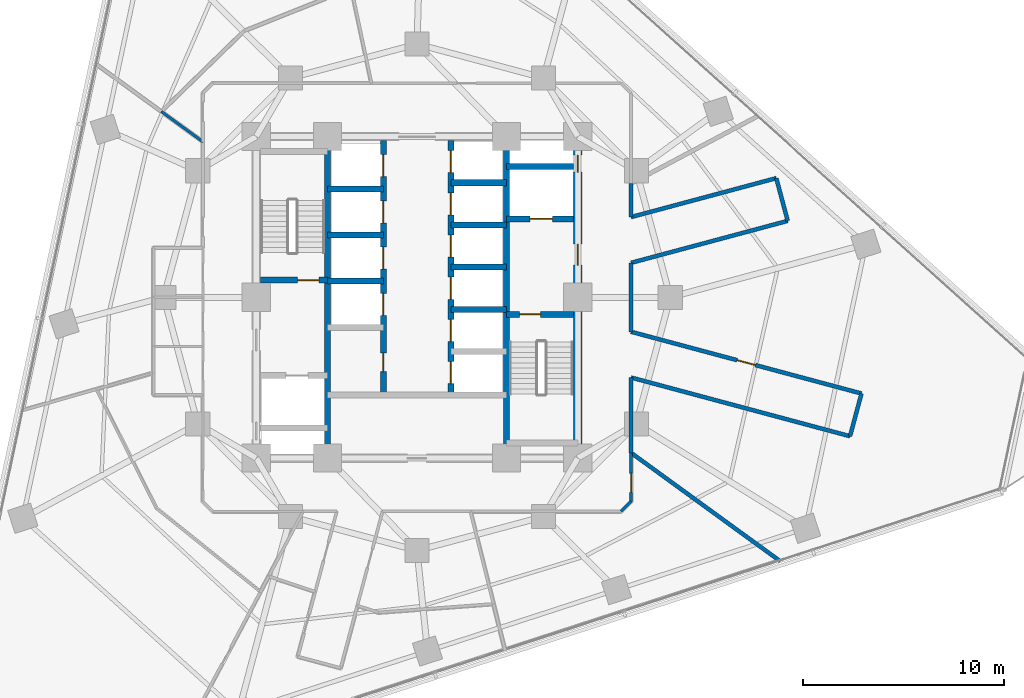
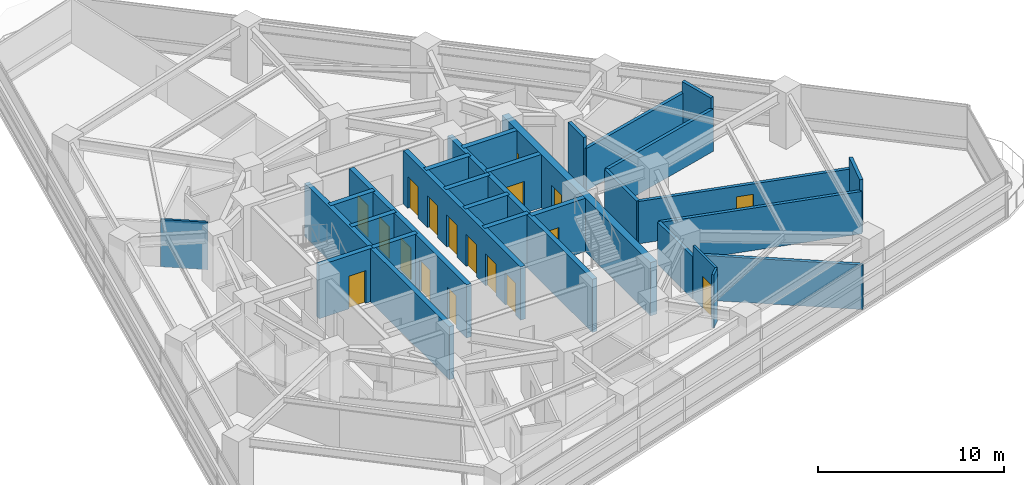
# One storey, part 8 of 13: 29 walls, 18 doors, 18 openings.
"""IFC4 building model written with IfcOpenShell, lengths in metres."""

from ifc_helpers import new_model, si_unit, direction, frame, frame_2d, origin, place, context, subcontext, project, spatial, rectangle, extrude, material, layer, layer_set, type_object, element, fill, save


model = new_model("IFC4")

# Units and contexts
model_context = context("Model", 3, precision=1e-05, world=origin(), true_north=direction((0.0, 1.0)))
body_context = subcontext(model_context, "Body", "Model", "MODEL_VIEW")
ifc_project = project(units=[si_unit("LENGTHUNIT", "METRE"), si_unit("AREAUNIT", "SQUARE_METRE"), si_unit("VOLUMEUNIT", "CUBIC_METRE"), si_unit("PLANEANGLEUNIT", "RADIAN"), si_unit("MASSUNIT", "GRAM", prefix="KILO")], contexts=[model_context])

# Site, building, storey
site_placement = place(None, origin())
site = spatial("IfcSite", under=ifc_project, at=site_placement, CompositionType="ELEMENT")
building_placement = place(site_placement, origin())
building = spatial("IfcBuilding", under=site, at=building_placement, Name="Terralouvre Media Tower", CompositionType="ELEMENT")
storey_placement = place(building_placement, frame((0.0, 0.0, 94.0)))
storey = spatial("IfcBuildingStorey", under=building, at=storey_placement, Name="L23", CompositionType="ELEMENT", Elevation=94.0)

# Walls
ifc_material_1 = material(Name="Concrete C50/60", Category="concrete")
ifc_layer_1 = layer(ifc_material_1, 0.300048828125, Name="Core Internal Shaft Wall CW-300")
ifc_layer_set_1 = layer_set([ifc_layer_1], Name="Concrete C50/60")
wall_type_1 = type_object("IfcWallType", Name="Core Internal Shaft Wall CW-300", PredefinedType="SHEAR", material=ifc_layer_set_1)
for number, where, z_axis, x_axis, name in (
    (1, (-4.449951171875, -7.7900390625, 0.0), (0.0, 0.0, 1.0), (0.0, 1.0, 0.0), "L23 Core Shaft Wall SPW"),
    (2, (4.449951171875, -7.7900390625, 0.0), (0.0, 0.0, 1.0), (0.0, 1.0, 0.0), "L23 Core Shaft Wall SPE"),
):
    element("IfcWall", number, at=place(storey_placement, frame(where, z_axis=z_axis, x_axis=x_axis)), inside=storey, type_object=wall_type_1, Name=name, PredefinedType="SHEAR", context=body_context, shape_type="SweptSolid", body=[
        extrude(rectangle(XDim=15.580078125, YDim=0.300048828125, at=frame_2d((7.7900390625, 0.0))), origin(), (0.0, 0.0, 1.0), 3.5),
    ])

# Wall, opening, door
wall_1_placement = place(storey_placement, frame((-7.7900390625, 0.85009765625, 0.0), z_axis=(0.0, 0.0, 1.0), x_axis=(1.0, 0.0, 0.0)))
wall_1 = element("IfcWall", 3, at=wall_1_placement, inside=storey, type_object=wall_type_1, Name="L23 Core Shaft Wall ST1D", PredefinedType="SHEAR", context=body_context, shape_type="SweptSolid", body=[
    extrude(rectangle(XDim=3.340087890625, YDim=0.300048828125, at=frame_2d((1.669921875, 0.0))), origin(), (0.0, 0.0, 1.0), 3.5),
])
opening_1_placement = place(wall_1_placement, frame((1.85009765625, 0.0, 0.0)))
opening_1 = element("IfcOpeningElement", 4, at=opening_1_placement, cuts=wall_1, Name="Opening FD-01-105X215", PredefinedType="OPENING", context=body_context, shape_type="SweptSolid", body=[
    extrude(rectangle(XDim=1.050048828125, YDim=2.14990234375, at=frame_2d((0.52490234375, 1.074951171875))), frame((0.0, 0.159912109375, 0.0), z_axis=(0.0, -1.0, 0.0), x_axis=(1.0, 0.0, 0.0)), (0.0, 0.0, 1.0), 0.320068359375),
])
ifc_material_2 = material(Name="Galvanised steel fire-resisting leaf", Category="steel")
door_type_1 = type_object("IfcDoorType", Name="Stair and Firefighting Lobby Fire Door FD-01 (1050x2150)", OperationType="NOTDEFINED", PredefinedType="DOOR", material=ifc_material_2)
door_1_placement = place(opening_1_placement, origin())
door_1 = element("IfcDoor", 5, at=door_1_placement, inside=storey, type_object=door_type_1, Name="L23 ST-01 Exit Stair Door", OperationType="SINGLE_SWING_LEFT", OverallHeight=2.14990234375, OverallWidth=1.050048828125, PredefinedType="DOOR", context=body_context, shape_type="SweptSolid", body=[
    extrude(rectangle(XDim=1.050048828125, YDim=2.14990234375, at=frame_2d((0.52490234375, 1.074951171875))), frame((0.0, 0.02490234375, 0.0), z_axis=(0.0, -1.0, 0.0), x_axis=(1.0, 0.0, 0.0)), (0.0, 0.0, 1.0), 0.050048828125),
])
fill(opening_1, door_1)

wall_2_placement = place(storey_placement, frame((4.449951171875, -0.85009765625, 0.0), z_axis=(0.0, 0.0, 1.0), x_axis=(1.0, 0.0, 0.0)))
wall_2 = element("IfcWall", 6, at=wall_2_placement, inside=storey, type_object=wall_type_1, Name="L23 Core Shaft Wall ST2D", PredefinedType="SHEAR", context=body_context, shape_type="SweptSolid", body=[
    extrude(rectangle(XDim=3.340087890625, YDim=0.300048828125, at=frame_2d((1.669921875, 0.0))), origin(), (0.0, 0.0, 1.0), 3.5),
])
opening_2_placement = place(wall_2_placement, frame((0.64990234375, 0.0, 0.0)))
opening_2 = element("IfcOpeningElement", 7, at=opening_2_placement, cuts=wall_2, Name="Opening FD-01-105X215", PredefinedType="OPENING", context=body_context, shape_type="SweptSolid", body=[
    extrude(rectangle(XDim=1.050048828125, YDim=2.14990234375, at=frame_2d((0.52490234375, 1.074951171875))), frame((0.0, 0.159912109375, 0.0), z_axis=(0.0, -1.0, 0.0), x_axis=(1.0, 0.0, 0.0)), (0.0, 0.0, 1.0), 0.320068359375),
])
door_2_placement = place(opening_2_placement, origin())
door_2 = element("IfcDoor", 8, at=door_2_placement, inside=storey, type_object=door_type_1, Name="L23 ST-02 Exit Stair Door", OperationType="SINGLE_SWING_RIGHT", OverallHeight=2.14990234375, OverallWidth=1.050048828125, PredefinedType="DOOR", context=body_context, shape_type="SweptSolid", body=[
    extrude(rectangle(XDim=1.050048828125, YDim=2.14990234375, at=frame_2d((0.52490234375, 1.074951171875))), frame((0.0, 0.02490234375, 0.0), z_axis=(0.0, -1.0, 0.0), x_axis=(1.0, 0.0, 0.0)), (0.0, 0.0, 1.0), 0.050048828125),
])
fill(opening_2, door_2)

wall_3_placement = place(storey_placement, frame((4.449951171875, 3.89990234375, 0.0), z_axis=(0.0, 0.0, 1.0), x_axis=(1.0, 0.0, 0.0)))
wall_3 = element("IfcWall", 9, at=wall_3_placement, inside=storey, type_object=wall_type_1, Name="L23 Core Shaft Wall FF2S", PredefinedType="SHEAR", context=body_context, shape_type="SweptSolid", body=[
    extrude(rectangle(XDim=3.340087890625, YDim=0.300048828125, at=frame_2d((1.669921875, 0.0))), origin(), (0.0, 0.0, 1.0), 3.5),
])
opening_3_placement = place(wall_3_placement, frame((1.179931640625, 0.0, 0.0)))
opening_3 = element("IfcOpeningElement", 10, at=opening_3_placement, cuts=wall_3, Name="Opening LD-FF", PredefinedType="OPENING", context=body_context, shape_type="SweptSolid", body=[
    extrude(rectangle(XDim=1.10009765625, YDim=2.10009765625, at=frame_2d((0.550048828125, 1.050048828125))), frame((0.0, 0.159912109375, 0.0), z_axis=(0.0, -1.0, 0.0), x_axis=(1.0, 0.0, 0.0)), (0.0, 0.0, 1.0), 0.320068359375),
])
ifc_material_3 = material(Name="Stainless steel 316 handrail and balustrade", Category="steel")
door_type_2 = type_object("IfcDoorType", Name="Firefighting Lift Sliding Landing Door LD-FF", OperationType="SLIDING_TO_LEFT", PredefinedType="DOOR", material=ifc_material_3)
door_3_placement = place(opening_3_placement, origin())
door_3 = element("IfcDoor", 11, at=door_3_placement, inside=storey, type_object=door_type_2, Name="L23 Firefighting Lift FFL-02 Landing Door", OperationType="SLIDING_TO_LEFT", OverallHeight=2.10009765625, OverallWidth=1.10009765625, PredefinedType="DOOR", context=body_context, shape_type="SweptSolid", body=[
    extrude(rectangle(XDim=1.10009765625, YDim=2.10009765625, at=frame_2d((0.550048828125, 1.050048828125))), frame((0.0, 0.02490234375, 0.0), z_axis=(0.0, -1.0, 0.0), x_axis=(1.0, 0.0, 0.0)), (0.0, 0.0, 1.0), 0.050048828125),
])
fill(opening_3, door_3)

# Wall
wall_4_placement = place(storey_placement, frame((4.449951171875, 6.5, 0.0), z_axis=(0.0, 0.0, 1.0), x_axis=(1.0, 0.0, 0.0)))
element("IfcWall", 12, at=wall_4_placement, inside=storey, type_object=wall_type_1, Name="L23 Core Shaft Wall FF2N", PredefinedType="SHEAR", context=body_context, shape_type="SweptSolid", body=[
    extrude(rectangle(XDim=3.340087890625, YDim=0.300048828125, at=frame_2d((1.669921875, 0.0))), origin(), (0.0, 0.0, 1.0), 3.5),
])

# Wall, openings, doors
wall_5_placement = place(storey_placement, frame((-1.679931640625, -4.85009765625, 0.0), z_axis=(0.0, 0.0, 1.0), x_axis=(0.0, 1.0, 0.0)))
wall_5 = element("IfcWall", 13, at=wall_5_placement, inside=storey, type_object=wall_type_1, Name="L23 Core Shaft Wall LBW", PredefinedType="SHEAR", context=body_context, shape_type="SweptSolid", body=[
    extrude(rectangle(XDim=12.64013671875, YDim=0.300048828125, at=frame_2d((6.320068359375, 0.0))), origin(), (0.0, 0.0, 1.0), 3.5),
])
opening_4_placement = place(wall_5_placement, frame((3.949951171875, 0.0, 0.0)))
opening_4 = element("IfcOpeningElement", 14, at=opening_4_placement, cuts=wall_5, Name="Opening LD-PL", PredefinedType="OPENING", context=body_context, shape_type="SweptSolid", body=[
    extrude(rectangle(XDim=1.10009765625, YDim=2.10009765625, at=frame_2d((0.550048828125, 1.050048828125))), frame((0.0, 0.159912109375, 0.0), z_axis=(0.0, -1.0, 0.0), x_axis=(1.0, 0.0, 0.0)), (0.0, 0.0, 1.0), 0.320068359375),
])
opening_5_placement = place(wall_5_placement, frame((6.25, 0.0, 0.0)))
opening_5 = element("IfcOpeningElement", 15, at=opening_5_placement, cuts=wall_5, Name="Opening LD-PL", PredefinedType="OPENING", context=body_context, shape_type="SweptSolid", body=[
    extrude(rectangle(XDim=1.10009765625, YDim=2.10009765625, at=frame_2d((0.550048828125, 1.050048828125))), frame((0.0, 0.159912109375, 0.0), z_axis=(0.0, -1.0, 0.0), x_axis=(1.0, 0.0, 0.0)), (0.0, 0.0, 1.0), 0.320068359375),
])
opening_6_placement = place(wall_5_placement, frame((8.550048828125, 0.0, 0.0)))
opening_6 = element("IfcOpeningElement", 16, at=opening_6_placement, cuts=wall_5, Name="Opening LD-PL", PredefinedType="OPENING", context=body_context, shape_type="SweptSolid", body=[
    extrude(rectangle(XDim=1.10009765625, YDim=2.10009765625, at=frame_2d((0.550048828125, 1.050048828125))), frame((0.0, 0.159912109375, 0.0), z_axis=(0.0, -1.0, 0.0), x_axis=(1.0, 0.0, 0.0)), (0.0, 0.0, 1.0), 0.320068359375),
])
opening_7_placement = place(wall_5_placement, frame((10.85009765625, 0.0, 0.0)))
opening_7 = element("IfcOpeningElement", 17, at=opening_7_placement, cuts=wall_5, Name="Opening LD-PL", PredefinedType="OPENING", context=body_context, shape_type="SweptSolid", body=[
    extrude(rectangle(XDim=1.10009765625, YDim=2.10009765625, at=frame_2d((0.550048828125, 1.050048828125))), frame((0.0, 0.159912109375, 0.0), z_axis=(0.0, -1.0, 0.0), x_axis=(1.0, 0.0, 0.0)), (0.0, 0.0, 1.0), 0.320068359375),
])
opening_8_placement = place(wall_5_placement, frame((1.14990234375, 0.0, 0.0)))
opening_8 = element("IfcOpeningElement", 18, at=opening_8_placement, cuts=wall_5, Name="Opening FD-05-92X210", PredefinedType="OPENING", context=body_context, shape_type="SweptSolid", body=[
    extrude(rectangle(XDim=0.919921875, YDim=2.10009765625, at=frame_2d((0.4599609375, 1.050048828125))), frame((0.0, 0.159912109375, 0.0), z_axis=(0.0, -1.0, 0.0), x_axis=(1.0, 0.0, 0.0)), (0.0, 0.0, 1.0), 0.320068359375),
])
ifc_material_4 = material(Name="Galvanised steel fire-resisting leaf", Category="steel")
door_type_3 = type_object("IfcDoorType", Name="Core Accessible Closet Fire Door FD-05 (920x2100)", OperationType="NOTDEFINED", PredefinedType="DOOR", material=ifc_material_4)
door_4_placement = place(opening_8_placement, origin())
door_4 = element("IfcDoor", 19, at=door_4_placement, inside=storey, type_object=door_type_3, Name="L23 Core Cleaners Closet Door", OperationType="SINGLE_SWING_LEFT", OverallHeight=2.10009765625, OverallWidth=0.919921875, PredefinedType="DOOR", context=body_context, shape_type="SweptSolid", body=[
    extrude(rectangle(XDim=0.919921875, YDim=2.10009765625, at=frame_2d((0.4599609375, 1.050048828125))), frame((0.0, 0.02490234375, 0.0), z_axis=(0.0, -1.0, 0.0), x_axis=(1.0, 0.0, 0.0)), (0.0, 0.0, 1.0), 0.050048828125),
])
fill(opening_8, door_4)
ifc_material_5 = material(Name="Stainless steel 316 handrail and balustrade", Category="steel")
door_type_4 = type_object("IfcDoorType", Name="Passenger Lift Sliding Landing Door LD-PL", OperationType="SLIDING_TO_LEFT", PredefinedType="DOOR", material=ifc_material_5)
door_5_placement = place(opening_4_placement, origin())
door_5 = element("IfcDoor", 20, at=door_5_placement, inside=storey, type_object=door_type_4, Name="L23 Low-Rise Lift PL-L1 Landing Door", OperationType="SLIDING_TO_LEFT", OverallHeight=2.10009765625, OverallWidth=1.10009765625, PredefinedType="DOOR", context=body_context, shape_type="SweptSolid", body=[
    extrude(rectangle(XDim=1.10009765625, YDim=2.10009765625, at=frame_2d((0.550048828125, 1.050048828125))), frame((0.0, 0.02490234375, 0.0), z_axis=(0.0, -1.0, 0.0), x_axis=(1.0, 0.0, 0.0)), (0.0, 0.0, 1.0), 0.050048828125),
])
fill(opening_4, door_5)
door_6_placement = place(opening_5_placement, origin())
door_6 = element("IfcDoor", 21, at=door_6_placement, inside=storey, type_object=door_type_4, Name="L23 Low-Rise Lift PL-L2 Landing Door", OperationType="SLIDING_TO_LEFT", OverallHeight=2.10009765625, OverallWidth=1.10009765625, PredefinedType="DOOR", context=body_context, shape_type="SweptSolid", body=[
    extrude(rectangle(XDim=1.10009765625, YDim=2.10009765625, at=frame_2d((0.550048828125, 1.050048828125))), frame((0.0, 0.02490234375, 0.0), z_axis=(0.0, -1.0, 0.0), x_axis=(1.0, 0.0, 0.0)), (0.0, 0.0, 1.0), 0.050048828125),
])
fill(opening_5, door_6)
door_7_placement = place(opening_6_placement, origin())
door_7 = element("IfcDoor", 22, at=door_7_placement, inside=storey, type_object=door_type_4, Name="L23 Low-Rise Lift PL-L3 Landing Door", OperationType="SLIDING_TO_LEFT", OverallHeight=2.10009765625, OverallWidth=1.10009765625, PredefinedType="DOOR", context=body_context, shape_type="SweptSolid", body=[
    extrude(rectangle(XDim=1.10009765625, YDim=2.10009765625, at=frame_2d((0.550048828125, 1.050048828125))), frame((0.0, 0.02490234375, 0.0), z_axis=(0.0, -1.0, 0.0), x_axis=(1.0, 0.0, 0.0)), (0.0, 0.0, 1.0), 0.050048828125),
])
fill(opening_6, door_7)
door_8_placement = place(opening_7_placement, origin())
door_8 = element("IfcDoor", 23, at=door_8_placement, inside=storey, type_object=door_type_4, Name="L23 Low-Rise Lift PL-L4 Landing Door", OperationType="SLIDING_TO_LEFT", OverallHeight=2.10009765625, OverallWidth=1.10009765625, PredefinedType="DOOR", context=body_context, shape_type="SweptSolid", body=[
    extrude(rectangle(XDim=1.10009765625, YDim=2.10009765625, at=frame_2d((0.550048828125, 1.050048828125))), frame((0.0, 0.02490234375, 0.0), z_axis=(0.0, -1.0, 0.0), x_axis=(1.0, 0.0, 0.0)), (0.0, 0.0, 1.0), 0.050048828125),
])
fill(opening_7, door_8)

wall_6_placement = place(storey_placement, frame((1.679931640625, -4.85009765625, 0.0), z_axis=(0.0, 0.0, 1.0), x_axis=(0.0, 1.0, 0.0)))
wall_6 = element("IfcWall", 24, at=wall_6_placement, inside=storey, type_object=wall_type_1, Name="L23 Core Shaft Wall LBE", PredefinedType="SHEAR", context=body_context, shape_type="SweptSolid", body=[
    extrude(rectangle(XDim=12.64013671875, YDim=0.300048828125, at=frame_2d((6.320068359375, 0.0))), origin(), (0.0, 0.0, 1.0), 3.5),
])
opening_9_placement = place(wall_6_placement, frame((0.550048828125, 0.0, 0.0)))
opening_9 = element("IfcOpeningElement", 25, at=opening_9_placement, cuts=wall_6, Name="Opening LD-PL", PredefinedType="OPENING", context=body_context, shape_type="SweptSolid", body=[
    extrude(rectangle(XDim=1.10009765625, YDim=2.10009765625, at=frame_2d((0.550048828125, 1.050048828125))), frame((0.0, 0.159912109375, 0.0), z_axis=(0.0, -1.0, 0.0), x_axis=(1.0, 0.0, 0.0)), (0.0, 0.0, 1.0), 0.320068359375),
])
opening_10_placement = place(wall_6_placement, frame((2.64990234375, 0.0, 0.0)))
opening_10 = element("IfcOpeningElement", 26, at=opening_10_placement, cuts=wall_6, Name="Opening LD-PL", PredefinedType="OPENING", context=body_context, shape_type="SweptSolid", body=[
    extrude(rectangle(XDim=1.10009765625, YDim=2.10009765625, at=frame_2d((0.550048828125, 1.050048828125))), frame((0.0, 0.159912109375, 0.0), z_axis=(0.0, -1.0, 0.0), x_axis=(1.0, 0.0, 0.0)), (0.0, 0.0, 1.0), 0.320068359375),
])
opening_11_placement = place(wall_6_placement, frame((4.75, 0.0, 0.0)))
opening_11 = element("IfcOpeningElement", 27, at=opening_11_placement, cuts=wall_6, Name="Opening LD-PL", PredefinedType="OPENING", context=body_context, shape_type="SweptSolid", body=[
    extrude(rectangle(XDim=1.10009765625, YDim=2.10009765625, at=frame_2d((0.550048828125, 1.050048828125))), frame((0.0, 0.159912109375, 0.0), z_axis=(0.0, -1.0, 0.0), x_axis=(1.0, 0.0, 0.0)), (0.0, 0.0, 1.0), 0.320068359375),
])
opening_12_placement = place(wall_6_placement, frame((6.85009765625, 0.0, 0.0)))
opening_12 = element("IfcOpeningElement", 28, at=opening_12_placement, cuts=wall_6, Name="Opening LD-PL", PredefinedType="OPENING", context=body_context, shape_type="SweptSolid", body=[
    extrude(rectangle(XDim=1.10009765625, YDim=2.10009765625, at=frame_2d((0.550048828125, 1.050048828125))), frame((0.0, 0.159912109375, 0.0), z_axis=(0.0, -1.0, 0.0), x_axis=(1.0, 0.0, 0.0)), (0.0, 0.0, 1.0), 0.320068359375),
])
opening_13_placement = place(wall_6_placement, frame((8.949951171875, 0.0, 0.0)))
opening_13 = element("IfcOpeningElement", 29, at=opening_13_placement, cuts=wall_6, Name="Opening LD-PL", PredefinedType="OPENING", context=body_context, shape_type="SweptSolid", body=[
    extrude(rectangle(XDim=1.10009765625, YDim=2.10009765625, at=frame_2d((0.550048828125, 1.050048828125))), frame((0.0, 0.159912109375, 0.0), z_axis=(0.0, -1.0, 0.0), x_axis=(1.0, 0.0, 0.0)), (0.0, 0.0, 1.0), 0.320068359375),
])
opening_14_placement = place(wall_6_placement, frame((11.050048828125, 0.0, 0.0)))
opening_14 = element("IfcOpeningElement", 30, at=opening_14_placement, cuts=wall_6, Name="Opening LD-PL", PredefinedType="OPENING", context=body_context, shape_type="SweptSolid", body=[
    extrude(rectangle(XDim=1.10009765625, YDim=2.10009765625, at=frame_2d((0.550048828125, 1.050048828125))), frame((0.0, 0.159912109375, 0.0), z_axis=(0.0, -1.0, 0.0), x_axis=(1.0, 0.0, 0.0)), (0.0, 0.0, 1.0), 0.320068359375),
])
door_9_placement = place(opening_9_placement, origin())
door_9 = element("IfcDoor", 31, at=door_9_placement, inside=storey, type_object=door_type_4, Name="L23 High-Rise Lift PL-H1 Landing Door", OperationType="SLIDING_TO_LEFT", OverallHeight=2.10009765625, OverallWidth=1.10009765625, PredefinedType="DOOR", context=body_context, shape_type="SweptSolid", body=[
    extrude(rectangle(XDim=1.10009765625, YDim=2.10009765625, at=frame_2d((0.550048828125, 1.050048828125))), frame((0.0, 0.02490234375, 0.0), z_axis=(0.0, -1.0, 0.0), x_axis=(1.0, 0.0, 0.0)), (0.0, 0.0, 1.0), 0.050048828125),
])
fill(opening_9, door_9)
door_10_placement = place(opening_10_placement, origin())
door_10 = element("IfcDoor", 32, at=door_10_placement, inside=storey, type_object=door_type_4, Name="L23 High-Rise Lift PL-H2 Landing Door", OperationType="SLIDING_TO_LEFT", OverallHeight=2.10009765625, OverallWidth=1.10009765625, PredefinedType="DOOR", context=body_context, shape_type="SweptSolid", body=[
    extrude(rectangle(XDim=1.10009765625, YDim=2.10009765625, at=frame_2d((0.550048828125, 1.050048828125))), frame((0.0, 0.02490234375, 0.0), z_axis=(0.0, -1.0, 0.0), x_axis=(1.0, 0.0, 0.0)), (0.0, 0.0, 1.0), 0.050048828125),
])
fill(opening_10, door_10)
door_11_placement = place(opening_11_placement, origin())
door_11 = element("IfcDoor", 33, at=door_11_placement, inside=storey, type_object=door_type_4, Name="L23 High-Rise Lift PL-H3 Landing Door", OperationType="SLIDING_TO_LEFT", OverallHeight=2.10009765625, OverallWidth=1.10009765625, PredefinedType="DOOR", context=body_context, shape_type="SweptSolid", body=[
    extrude(rectangle(XDim=1.10009765625, YDim=2.10009765625, at=frame_2d((0.550048828125, 1.050048828125))), frame((0.0, 0.02490234375, 0.0), z_axis=(0.0, -1.0, 0.0), x_axis=(1.0, 0.0, 0.0)), (0.0, 0.0, 1.0), 0.050048828125),
])
fill(opening_11, door_11)
door_12_placement = place(opening_12_placement, origin())
door_12 = element("IfcDoor", 34, at=door_12_placement, inside=storey, type_object=door_type_4, Name="L23 Mid-Rise Lift PL-M1 Landing Door", OperationType="SLIDING_TO_LEFT", OverallHeight=2.10009765625, OverallWidth=1.10009765625, PredefinedType="DOOR", context=body_context, shape_type="SweptSolid", body=[
    extrude(rectangle(XDim=1.10009765625, YDim=2.10009765625, at=frame_2d((0.550048828125, 1.050048828125))), frame((0.0, 0.02490234375, 0.0), z_axis=(0.0, -1.0, 0.0), x_axis=(1.0, 0.0, 0.0)), (0.0, 0.0, 1.0), 0.050048828125),
])
fill(opening_12, door_12)
door_13_placement = place(opening_13_placement, origin())
door_13 = element("IfcDoor", 35, at=door_13_placement, inside=storey, type_object=door_type_4, Name="L23 Mid-Rise Lift PL-M2 Landing Door", OperationType="SLIDING_TO_LEFT", OverallHeight=2.10009765625, OverallWidth=1.10009765625, PredefinedType="DOOR", context=body_context, shape_type="SweptSolid", body=[
    extrude(rectangle(XDim=1.10009765625, YDim=2.10009765625, at=frame_2d((0.550048828125, 1.050048828125))), frame((0.0, 0.02490234375, 0.0), z_axis=(0.0, -1.0, 0.0), x_axis=(1.0, 0.0, 0.0)), (0.0, 0.0, 1.0), 0.050048828125),
])
fill(opening_13, door_13)
door_14_placement = place(opening_14_placement, origin())
door_14 = element("IfcDoor", 36, at=door_14_placement, inside=storey, type_object=door_type_4, Name="L23 Mid-Rise Lift PL-M3 Landing Door", OperationType="SLIDING_TO_LEFT", OverallHeight=2.10009765625, OverallWidth=1.10009765625, PredefinedType="DOOR", context=body_context, shape_type="SweptSolid", body=[
    extrude(rectangle(XDim=1.10009765625, YDim=2.10009765625, at=frame_2d((0.550048828125, 1.050048828125))), frame((0.0, 0.02490234375, 0.0), z_axis=(0.0, -1.0, 0.0), x_axis=(1.0, 0.0, 0.0)), (0.0, 0.0, 1.0), 0.050048828125),
])
fill(opening_14, door_14)

# Walls
for number, where, z_axis, x_axis, name in (
    (37, (-4.449951171875, 0.800048828125, 0.0), (0.0, 0.0, 1.0), (1.0, 0.0, 0.0), "L23 Core Shaft Wall PLLD1"),
    (38, (-4.449951171875, 3.10009765625, 0.0), (0.0, 0.0, 1.0), (1.0, 0.0, 0.0), "L23 Core Shaft Wall PLLD2"),
    (39, (-4.449951171875, 5.39990234375, 0.0), (0.0, 0.0, 1.0), (1.0, 0.0, 0.0), "L23 Core Shaft Wall PLLD3"),
    (40, (1.679931640625, 1.5, 0.0), (0.0, 0.0, 1.0), (1.0, 0.0, 0.0), "L23 Core Shaft Wall PLMD0"),
    (41, (1.679931640625, 3.60009765625, 0.0), (0.0, 0.0, 1.0), (1.0, 0.0, 0.0), "L23 Core Shaft Wall PLMD1"),
    (42, (1.679931640625, 5.699951171875, 0.0), (0.0, 0.0, 1.0), (1.0, 0.0, 0.0), "L23 Core Shaft Wall PLMD2"),
    (43, (1.679931640625, -0.60009765625, 0.0), (0.0, 0.0, 1.0), (1.0, 0.0, 0.0), "L23 Core Shaft Wall PLHD2"),
):
    element("IfcWall", number, at=place(storey_placement, frame(where, z_axis=z_axis, x_axis=x_axis)), inside=storey, type_object=wall_type_1, Name=name, PredefinedType="SHEAR", context=body_context, shape_type="SweptSolid", body=[
        extrude(rectangle(XDim=2.77001953125, YDim=0.300048828125, at=frame_2d((1.385009765625, 0.0))), origin(), (0.0, 0.0, 1.0), 3.5),
    ])

# Wall, openings, doors
ifc_material_6 = material(Name="Concrete C60/75", Category="concrete")
ifc_layer_2 = layer(ifc_material_6, 0.419921875, Name="Core Reinforced Concrete Shear Wall CW-420")
ifc_layer_set_2 = layer_set([ifc_layer_2], Name="Concrete C60/75")
wall_type_2 = type_object("IfcWallType", Name="Core Reinforced Concrete Shear Wall CW-420", PredefinedType="SHEAR", material=ifc_layer_set_2)
wall_7_placement = place(storey_placement, frame((8.0, -8.0, 0.0), z_axis=(0.0, 0.0, 1.0), x_axis=(0.0, 1.0, 0.0)))
wall_7 = element("IfcWall", 44, at=wall_7_placement, inside=storey, type_object=wall_type_2, Name="L23 E Core Shear Wall", PredefinedType="SHEAR", context=body_context, shape_type="SweptSolid", body=[
    extrude(rectangle(XDim=16.0, YDim=0.419921875, at=frame_2d((8.0, 0.0))), origin(), (0.0, 0.0, 1.0), 3.5),
])
opening_15_placement = place(wall_7_placement, frame((9.60009765625, 0.0, 0.0)))
opening_15 = element("IfcOpeningElement", 45, at=opening_15_placement, cuts=wall_7, Name="Opening FD-01-105X215", PredefinedType="OPENING", context=body_context, shape_type="SweptSolid", body=[
    extrude(rectangle(XDim=1.050048828125, YDim=2.14990234375, at=frame_2d((0.52490234375, 1.074951171875))), frame((0.0, 0.219970703125, 0.0), z_axis=(0.0, -1.0, 0.0), x_axis=(1.0, 0.0, 0.0)), (0.0, 0.0, 1.0), 0.43994140625),
])
opening_16_placement = place(wall_7_placement, frame((14.228515625, 0.0, 0.0)))
opening_16 = element("IfcOpeningElement", 46, at=opening_16_placement, cuts=wall_7, Name="Opening TD-R1", PredefinedType="OPENING", context=body_context, shape_type="SweptSolid", body=[
    extrude(rectangle(XDim=0.85009765625, YDim=2.02001953125, at=frame_2d((0.425048828125, 1.010009765625))), frame((0.0, 0.219970703125, 0.0), z_axis=(0.0, -1.0, 0.0), x_axis=(1.0, 0.0, 0.0)), (0.0, 0.0, 1.0), 0.43994140625),
])
ifc_material_7 = material(Name="Galvanised steel fire-resisting leaf", Category="steel")
door_type_5 = type_object("IfcDoorType", Name="Riser Inspection Access Trapdoor TD-R1", OperationType="NOTDEFINED", PredefinedType="TRAPDOOR", material=ifc_material_7)
door_15_placement = place(opening_16_placement, origin())
door_15 = element("IfcDoor", 47, at=door_15_placement, inside=storey, type_object=door_type_5, Name="L23 East Comms Riser Access Trapdoor", OperationType="SINGLE_SWING_RIGHT", OverallHeight=2.02001953125, OverallWidth=0.85009765625, PredefinedType="TRAPDOOR", context=body_context, shape_type="SweptSolid", body=[
    extrude(rectangle(XDim=0.85009765625, YDim=2.02001953125, at=frame_2d((0.425048828125, 1.010009765625))), frame((0.0, 0.02490234375, 0.0), z_axis=(0.0, -1.0, 0.0), x_axis=(1.0, 0.0, 0.0)), (0.0, 0.0, 1.0), 0.050048828125),
])
fill(opening_16, door_15)
door_16_placement = place(opening_15_placement, origin())
door_16 = element("IfcDoor", 48, at=door_16_placement, inside=storey, type_object=door_type_1, Name="L23 East Firefighting Lobby Entry Door", OperationType="SINGLE_SWING_LEFT", OverallHeight=2.14990234375, OverallWidth=1.050048828125, PredefinedType="DOOR", context=body_context, shape_type="SweptSolid", body=[
    extrude(rectangle(XDim=1.050048828125, YDim=2.14990234375, at=frame_2d((0.52490234375, 1.074951171875))), frame((0.0, 0.02490234375, 0.0), z_axis=(0.0, -1.0, 0.0), x_axis=(1.0, 0.0, 0.0)), (0.0, 0.0, 1.0), 0.050048828125),
])
fill(opening_15, door_16)

# Walls
ifc_material_8 = material(Name="Fire-rated gypsum board drywall partition")
ifc_layer_3 = layer(ifc_material_8, 0.199951171875, Name="Fire-Rated Shaft and Lobby Partition FW-200")
ifc_layer_set_3 = layer_set([ifc_layer_3], Name="Fire-rated gypsum board drywall partition")
wall_type_3 = type_object("IfcWallType", Name="Fire-Rated Shaft and Lobby Partition FW-200", PredefinedType="SOLIDWALL", material=ifc_layer_set_3)
wall_8_placement = place(storey_placement, frame((10.64990234375, -7.738037109375, 0.0), z_axis=(0.0, 0.0, 1.0), x_axis=(0.0, 1.0, 0.0)))
element("IfcWall", 49, at=wall_8_placement, inside=storey, type_object=wall_type_3, Name="L23 Interior Partition 001", PredefinedType="SOLIDWALL", context=body_context, shape_type="SweptSolid", body=[
    extrude(rectangle(XDim=3.74609375, YDim=0.199951171875, at=frame_2d((1.873046875, 0.0))), origin(), (0.0, 0.0, 1.0), 2.784912109375),
])
wall_9_placement = place(storey_placement, frame((10.64990234375, -3.991943359375, 0.0), z_axis=(0.0, 0.0, 1.0), x_axis=(0.965906888357, -0.258889712088, 0.0)))
element("IfcWall", 50, at=wall_9_placement, inside=storey, type_object=wall_type_3, Name="L23 Interior Partition 002", PredefinedType="SOLIDWALL", context=body_context, shape_type="SweptSolid", body=[
    extrude(rectangle(XDim=11.279541015625, YDim=0.199951171875, at=frame_2d((5.6396484375, 0.0))), origin(), (0.0, 0.0, 1.0), 2.784912109375),
])
wall_10_placement = place(storey_placement, frame((21.544921875, -6.912109375, 0.0), z_axis=(0.0, 0.0, 1.0), x_axis=(0.259105843213, 0.965848933329, 0.0)))
element("IfcWall", 51, at=wall_10_placement, inside=storey, type_object=wall_type_3, Name="L23 Interior Partition 003", PredefinedType="SOLIDWALL", context=body_context, shape_type="SweptSolid", body=[
    extrude(rectangle(XDim=2.2001953125, YDim=0.199951171875, at=frame_2d((1.10009765625, 0.0))), origin(), (0.0, 0.0, 1.0), 3.5),
])

# Wall, opening, door
wall_11_placement = place(storey_placement, frame((22.114990234375, -4.787109375, 0.0), z_axis=(0.0, 0.0, 1.0), x_axis=(-0.965926659449, 0.258815935688, 0.0)))
wall_11 = element("IfcWall", 52, at=wall_11_placement, inside=storey, type_object=wall_type_3, Name="L23 Interior Partition 004", PredefinedType="SOLIDWALL", context=body_context, shape_type="SweptSolid", body=[
    extrude(rectangle(XDim=11.86962890625, YDim=0.199951171875, at=frame_2d((5.934814453125, 0.0))), origin(), (0.0, 0.0, 1.0), 2.784912109375),
])
opening_17_placement = place(wall_11_placement, frame((5.459716796875, 0.0, 0.0)))
opening_17 = element("IfcOpeningElement", 53, at=opening_17_placement, cuts=wall_11, Name="Opening FD-02-95X210", PredefinedType="OPENING", context=body_context, shape_type="SweptSolid", body=[
    extrude(rectangle(XDim=0.949951171875, YDim=2.10009765625, at=frame_2d((0.47509765625, 1.050048828125))), frame((0.0, 0.10986328125, 0.0), z_axis=(0.0, -1.0, 0.0), x_axis=(1.0, 0.0, 0.0)), (0.0, 0.0, 1.0), 0.219970703125),
])
ifc_material_9 = material(Name="Galvanised steel fire-resisting leaf", Category="steel")
door_type_6 = type_object("IfcDoorType", Name="Plant and Riser Fire Door FD-02 (950x2100)", OperationType="NOTDEFINED", PredefinedType="DOOR", material=ifc_material_9)
door_17_placement = place(opening_17_placement, origin())
door_17 = element("IfcDoor", 54, at=door_17_placement, inside=storey, type_object=door_type_6, Name="L23 SAN High-Speed Server Room 1 Door", OperationType="SINGLE_SWING_RIGHT", OverallHeight=2.10009765625, OverallWidth=0.949951171875, PredefinedType="DOOR", context=body_context, shape_type="SweptSolid", body=[
    extrude(rectangle(XDim=0.949951171875, YDim=2.10009765625, at=frame_2d((0.47509765625, 1.050048828125))), frame((0.0, 0.02490234375, 0.0), z_axis=(0.0, -1.0, 0.0), x_axis=(1.0, 0.0, 0.0)), (0.0, 0.0, 1.0), 0.050048828125),
])
fill(opening_17, door_17)

# Walls
wall_12_placement = place(storey_placement, frame((10.64990234375, -1.715087890625, 0.0), z_axis=(0.0, 0.0, 1.0), x_axis=(0.0, 1.0, 0.0)))
element("IfcWall", 55, at=wall_12_placement, inside=storey, type_object=wall_type_3, Name="L23 Interior Partition 005", PredefinedType="SOLIDWALL", context=body_context, shape_type="SweptSolid", body=[
    extrude(rectangle(XDim=3.43017578125, YDim=0.199951171875, at=frame_2d((1.715087890625, 0.0))), origin(), (0.0, 0.0, 1.0), 2.784912109375),
])
wall_13_placement = place(storey_placement, frame((10.64990234375, 1.715087890625, 0.0), z_axis=(0.0, 0.0, 1.0), x_axis=(0.965943055062, 0.258754737882, 0.0)))
element("IfcWall", 56, at=wall_13_placement, inside=storey, type_object=wall_type_3, Name="L23 Interior Partition 006", PredefinedType="SOLIDWALL", context=body_context, shape_type="SweptSolid", body=[
    extrude(rectangle(XDim=8.069091796875, YDim=0.199951171875, at=frame_2d((4.03466796875, 0.0))), origin(), (0.0, 0.0, 1.0), 2.784912109375),
])
wall_14_placement = place(storey_placement, frame((18.444091796875, 3.802978515625, 0.0), z_axis=(0.0, 0.0, 1.0), x_axis=(-0.258691706618, 0.965959937537, 0.0)))
element("IfcWall", 57, at=wall_14_placement, inside=storey, type_object=wall_type_3, Name="L23 Interior Partition 007", PredefinedType="SOLIDWALL", context=body_context, shape_type="SweptSolid", body=[
    extrude(rectangle(XDim=2.199951171875, YDim=0.199951171875, at=frame_2d((1.10009765625, 0.0))), origin(), (0.0, 0.0, 1.0), 3.5),
])
wall_15_placement = place(storey_placement, frame((17.875, 5.927978515625, 0.0), z_axis=(0.0, 0.0, 1.0), x_axis=(-0.965923283659, -0.258828534142, 0.0)))
element("IfcWall", 58, at=wall_15_placement, inside=storey, type_object=wall_type_3, Name="L23 Interior Partition 008", PredefinedType="SOLIDWALL", context=body_context, shape_type="SweptSolid", body=[
    extrude(rectangle(XDim=7.47998046875, YDim=0.199951171875, at=frame_2d((3.739990234375, 0.0))), origin(), (0.0, 0.0, 1.0), 2.784912109375),
])
wall_16_placement = place(storey_placement, frame((10.64990234375, 3.991943359375, 0.0), z_axis=(0.0, 0.0, 1.0), x_axis=(0.0, 1.0, 0.0)))
element("IfcWall", 59, at=wall_16_placement, inside=storey, type_object=wall_type_3, Name="L23 Interior Partition 009", PredefinedType="SOLIDWALL", context=body_context, shape_type="SweptSolid", body=[
    extrude(rectangle(XDim=1.671142578125, YDim=0.199951171875, at=frame_2d((0.83544921875, 0.0))), origin(), (0.0, 0.0, 1.0), 3.5),
])
wall_17_placement = place(storey_placement, frame((10.64990234375, -7.738037109375, 0.0), z_axis=(0.0, 0.0, 1.0), x_axis=(0.809037487075, -0.587757045477, 0.0)))
element("IfcWall", 60, at=wall_17_placement, inside=storey, type_object=wall_type_3, Name="L23 Interior Partition 033", PredefinedType="SOLIDWALL", context=body_context, shape_type="SweptSolid", body=[
    extrude(rectangle(XDim=9.174072265625, YDim=0.199951171875, at=frame_2d((4.5869140625, 0.0))), origin(), (0.0, 0.0, 1.0), 2.93505859375),
])
ifc_material_10 = material(Name="Fire-rated gypsum board drywall partition")
ifc_layer_4 = layer(ifc_material_10, 0.135009765625, Name="Newsroom Acoustic Partition PT-135")
ifc_layer_set_4 = layer_set([ifc_layer_4], Name="Fire-rated gypsum board drywall partition")
wall_type_4 = type_object("IfcWallType", Name="Newsroom Acoustic Partition PT-135", PredefinedType="PARTITIONING", material=ifc_layer_set_4)
wall_18_placement = place(storey_placement, frame((10.14990234375, -10.64990234375, 0.0), z_axis=(0.0, 0.0, 1.0), x_axis=(0.707106781187, 0.707106781187, 0.0)))
element("IfcWall", 61, at=wall_18_placement, inside=storey, type_object=wall_type_4, Name="L23 Interior Partition 023", PredefinedType="PARTITIONING", context=body_context, shape_type="SweptSolid", body=[
    extrude(rectangle(XDim=0.70703125, YDim=0.135009765625, at=frame_2d((0.353515625, 0.0))), origin(), (0.0, 0.0, 1.0), 3.5),
])

# Wall, opening, door
wall_19_placement = place(storey_placement, frame((10.64990234375, -10.14990234375, 0.0), z_axis=(0.0, 0.0, 1.0), x_axis=(0.0, 1.0, 0.0)))
wall_19 = element("IfcWall", 62, at=wall_19_placement, inside=storey, type_object=wall_type_4, Name="L23 Interior Partition 024", PredefinedType="PARTITIONING", context=body_context, shape_type="SweptSolid", body=[
    extrude(rectangle(XDim=2.411865234375, YDim=0.135009765625, at=frame_2d((1.2060546875, 0.0))), origin(), (0.0, 0.0, 1.0), 3.5),
])
opening_18_placement = place(wall_19_placement, frame((0.441650390625, 0.0, 0.0)))
opening_18 = element("IfcOpeningElement", 63, at=opening_18_placement, cuts=wall_19, Name="Opening ID-02-95X210", PredefinedType="OPENING", context=body_context, shape_type="SweptSolid", body=[
    extrude(rectangle(XDim=0.949951171875, YDim=2.10009765625, at=frame_2d((0.47509765625, 1.050048828125))), frame((0.0, 0.077392578125, 0.0), z_axis=(0.0, -1.0, 0.0), x_axis=(1.0, 0.0, 0.0)), (0.0, 0.0, 1.0), 0.155029296875),
])
ifc_material_11 = material(Name="Engineered hardwood acoustic timber leaf", Category="wood")
door_type_7 = type_object("IfcDoorType", Name="Office and Meeting Room Door ID-02 (950x2100)", OperationType="NOTDEFINED", PredefinedType="DOOR", material=ifc_material_11)
door_18_placement = place(opening_18_placement, origin())
door_18 = element("IfcDoor", 64, at=door_18_placement, inside=storey, type_object=door_type_7, Name="L23 Post Schedule Office 7 Door", OperationType="SINGLE_SWING_LEFT", OverallHeight=2.10009765625, OverallWidth=0.949951171875, PredefinedType="DOOR", context=body_context, shape_type="SweptSolid", body=[
    extrude(rectangle(XDim=0.949951171875, YDim=2.10009765625, at=frame_2d((0.47509765625, 1.050048828125))), frame((0.0, 0.02490234375, 0.0), z_axis=(0.0, -1.0, 0.0), x_axis=(1.0, 0.0, 0.0)), (0.0, 0.0, 1.0), 0.050048828125),
])
fill(opening_18, door_18)

# Wall
wall_20_placement = place(storey_placement, frame((-12.720947265625, 9.241943359375, 0.0), z_axis=(0.0, 0.0, 1.0), x_axis=(0.80916485127, -0.58758169089, 0.0)))
element("IfcWall", 65, at=wall_20_placement, inside=storey, type_object=wall_type_4, Name="L23 Interior Partition 058", PredefinedType="PARTITIONING", context=body_context, shape_type="SweptSolid", body=[
    extrude(rectangle(XDim=2.5595703125, YDim=0.135009765625, at=frame_2d((1.27978515625, 0.0))), origin(), (0.0, 0.0, 1.0), 3.125),
])

save(model, "model.ifc")
